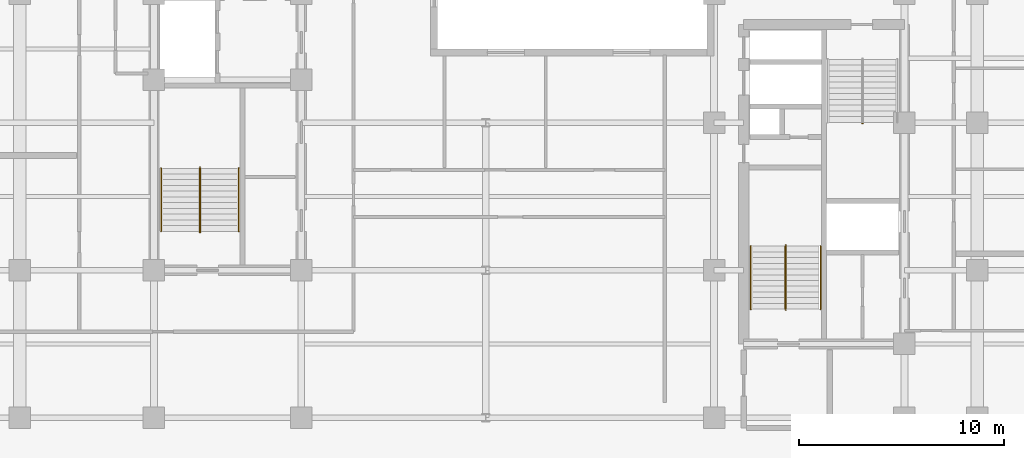
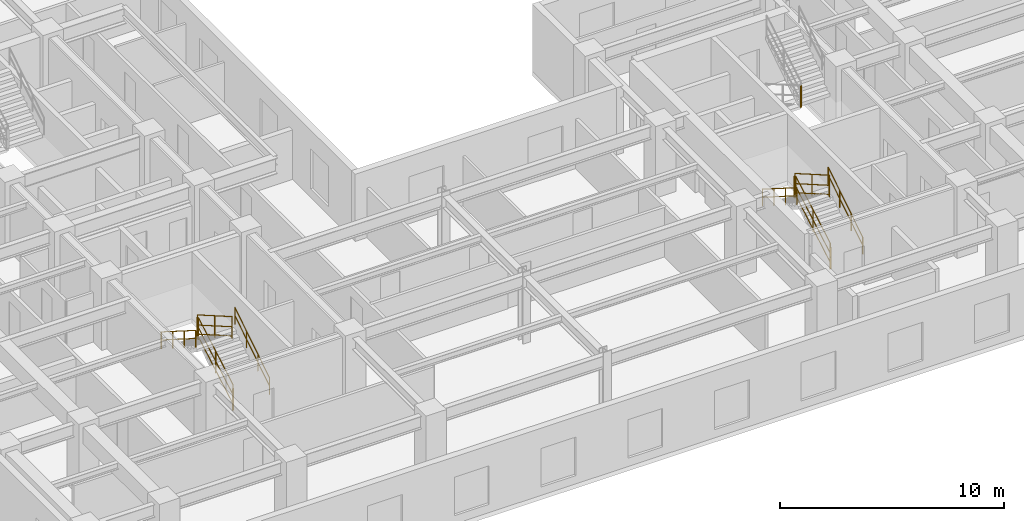
# One storey, part 8 of 10: 13 railings.
"""IFC4 building model written with IfcOpenShell, lengths in metres."""

from ifc_helpers import new_model, entity, si_unit, converted_unit, direction, frame, origin_with_axes, origin_2d_with_axis, place, context, subcontext, project, spatial, rectangle, circle, extrude, material, type_object, element, save


model = new_model("IFC4")

# Units and contexts
model_context = context("Model", 3, precision=1e-05, world=origin_with_axes(), true_north=direction((0.0, 1.0)))
body_context = subcontext(model_context, "Body", "Model", "MODEL_VIEW")
ifc_project = project(units=[si_unit("LENGTHUNIT", "METRE"), si_unit("AREAUNIT", "SQUARE_METRE"), si_unit("VOLUMEUNIT", "CUBIC_METRE"), converted_unit("PLANEANGLEUNIT", "DEGREE", entity("IfcPlaneAngleMeasure", 0.017453292519943295), si_unit("PLANEANGLEUNIT", "RADIAN"), dimensions=[0, 0, 0, 0, 0, 0, 0]), si_unit("MASSUNIT", "GRAM", prefix="KILO"), si_unit("THERMODYNAMICTEMPERATUREUNIT", "KELVIN")], contexts=[model_context])

# Site, building, storey
site_placement = place(None, origin_with_axes())
site = spatial("IfcSite", under=ifc_project, at=site_placement, CompositionType="ELEMENT")
building_placement = place(site_placement, origin_with_axes())
building = spatial("IfcBuilding", under=site, at=building_placement, Name="Varnlund Millrace Tower", CompositionType="ELEMENT")
storey_placement = place(building_placement, frame((0.0, 0.0, 175.8), z_axis=(0.0, 0.0, 1.0), x_axis=(1.0, 0.0, 0.0)))
storey = spatial("IfcBuildingStorey", under=building, at=storey_placement, Name="L43", CompositionType="ELEMENT", Elevation=175.8)

# Railings
ifc_material_1 = material(Name="Painted steel stair well balustrade guard", Category="steel")
railing_type_1 = type_object("IfcRailingType", Name="Type-StairGuard-1150", PredefinedType="GUARDRAIL", material=ifc_material_1)
railing_1_placement = place(storey_placement, frame((0.0, 0.0, -175.8), z_axis=(0.0, 0.0, 1.0), x_axis=(1.0, 0.0, 0.0)))
element("IfcRailing", 1, at=railing_1_placement, inside=storey, type_object=railing_type_1, Name="Type-StairGuard-1150", PredefinedType="GUARDRAIL", context=body_context, shape_type="SweptSolid", body=[
    extrude(circle(Radius=0.024, at=origin_2d_with_axis()), frame((13.675, 12.7, 177.127273), z_axis=(0.0, 0.866696, 0.498836), x_axis=(-1.0, 0.0, 0.0)), (0.0, 0.0, 1.0), 3.553725),
    extrude(circle(Radius=0.024, at=origin_2d_with_axis()), frame((13.675, 12.7, 176.077273), z_axis=(0.0, 0.866696, 0.498836), x_axis=(-1.0, 0.0, 0.0)), (0.0, 0.0, 1.0), 3.553725),
    extrude(circle(Radius=0.024, at=origin_2d_with_axis()), frame((13.675, 12.7, 176.575273), z_axis=(0.0, 0.866696, 0.498836), x_axis=(-1.0, 0.0, 0.0)), (0.0, 0.0, 1.0), 3.553725),
    extrude(rectangle(XDim=0.04, YDim=0.04, at=origin_2d_with_axis()), frame((13.675, 12.7, 175.937273), z_axis=(0.0, 0.0, 1.0), x_axis=(1.0, 0.0, 0.0)), (0.0, 0.0, 1.0), 1.19),
    extrude(rectangle(XDim=0.04, YDim=0.04, at=origin_2d_with_axis()), frame((13.675, 14.24, 176.823636), z_axis=(0.0, 0.0, 1.0), x_axis=(1.0, 0.0, 0.0)), (0.0, 0.0, 1.0), 1.19),
    extrude(rectangle(XDim=0.04, YDim=0.04, at=origin_2d_with_axis()), frame((13.675, 15.78, 177.71), z_axis=(0.0, 0.0, 1.0), x_axis=(1.0, 0.0, 0.0)), (0.0, 0.0, 1.0), 1.19),
])
railing_2_placement = place(storey_placement, frame((0.0, 0.0, -175.8), z_axis=(0.0, 0.0, 1.0), x_axis=(1.0, 0.0, 0.0)))
element("IfcRailing", 2, at=railing_2_placement, inside=storey, type_object=railing_type_1, Name="Type-StairGuard-1150", PredefinedType="GUARDRAIL", context=body_context, shape_type="SweptSolid", body=[
    extrude(circle(Radius=0.024, at=origin_2d_with_axis()), frame((13.625, 15.83, 178.9), z_axis=(1.0, 0.0, 0.0), x_axis=(0.0, 1.0, 0.0)), (0.0, 0.0, 1.0), 0.05),
    extrude(circle(Radius=0.024, at=origin_2d_with_axis()), frame((13.625, 15.83, 177.85), z_axis=(1.0, 0.0, 0.0), x_axis=(0.0, 1.0, 0.0)), (0.0, 0.0, 1.0), 0.05),
    extrude(circle(Radius=0.024, at=origin_2d_with_axis()), frame((13.625, 15.83, 178.348), z_axis=(1.0, 0.0, 0.0), x_axis=(0.0, 1.0, 0.0)), (0.0, 0.0, 1.0), 0.05),
    extrude(rectangle(XDim=0.04, YDim=0.04, at=origin_2d_with_axis()), frame((13.625, 15.83, 177.71), z_axis=(0.0, 0.0, 1.0), x_axis=(1.0, 0.0, 0.0)), (0.0, 0.0, 1.0), 1.19),
    extrude(rectangle(XDim=0.04, YDim=0.04, at=origin_2d_with_axis()), frame((13.675, 15.83, 177.71), z_axis=(0.0, 0.0, 1.0), x_axis=(1.0, 0.0, 0.0)), (0.0, 0.0, 1.0), 1.19),
])
railing_3_placement = place(storey_placement, frame((0.0, 0.0, -175.8), z_axis=(0.0, 0.0, 1.0), x_axis=(1.0, 0.0, 0.0)))
element("IfcRailing", 3, at=railing_3_placement, inside=storey, type_object=railing_type_1, Name="Type-StairGuard-1150", PredefinedType="GUARDRAIL", context=body_context, shape_type="SweptSolid", body=[
    extrude(circle(Radius=0.024, at=origin_2d_with_axis()), frame((13.625, 15.78, 179.077273), z_axis=(0.0, -0.866696, 0.498836), x_axis=(1.0, 0.0, 0.0)), (0.0, 0.0, 1.0), 3.553725),
    extrude(circle(Radius=0.024, at=origin_2d_with_axis()), frame((13.625, 15.78, 178.027273), z_axis=(0.0, -0.866696, 0.498836), x_axis=(1.0, 0.0, 0.0)), (0.0, 0.0, 1.0), 3.553725),
    extrude(circle(Radius=0.024, at=origin_2d_with_axis()), frame((13.625, 15.78, 178.525273), z_axis=(0.0, -0.866696, 0.498836), x_axis=(1.0, 0.0, 0.0)), (0.0, 0.0, 1.0), 3.553725),
    extrude(rectangle(XDim=0.04, YDim=0.04, at=origin_2d_with_axis()), frame((13.625, 15.78, 177.887273), z_axis=(0.0, 0.0, 1.0), x_axis=(1.0, 0.0, 0.0)), (0.0, 0.0, 1.0), 1.19),
    extrude(rectangle(XDim=0.04, YDim=0.04, at=origin_2d_with_axis()), frame((13.625, 14.24, 178.773637), z_axis=(0.0, 0.0, 1.0), x_axis=(1.0, 0.0, 0.0)), (0.0, 0.0, 1.0), 1.19),
    extrude(rectangle(XDim=0.04, YDim=0.04, at=origin_2d_with_axis()), frame((13.625, 12.7, 179.66), z_axis=(0.0, 0.0, 1.0), x_axis=(1.0, 0.0, 0.0)), (0.0, 0.0, 1.0), 1.19),
])
railing_4_placement = place(storey_placement, frame((0.0, 0.0, -175.8), z_axis=(0.0, 0.0, 1.0), x_axis=(1.0, 0.0, 0.0)))
element("IfcRailing", 4, at=railing_4_placement, inside=storey, type_object=railing_type_1, Name="Type-StairGuard-1150", PredefinedType="GUARDRAIL", context=body_context, shape_type="SweptSolid", body=[
    extrude(circle(Radius=0.024, at=origin_2d_with_axis()), frame((13.625, 12.65, 176.95), z_axis=(1.0, 0.0, 0.0), x_axis=(0.0, 1.0, 0.0)), (0.0, 0.0, 1.0), 0.05),
    extrude(circle(Radius=0.024, at=origin_2d_with_axis()), frame((13.625, 12.65, 175.9), z_axis=(1.0, 0.0, 0.0), x_axis=(0.0, 1.0, 0.0)), (0.0, 0.0, 1.0), 0.05),
    extrude(circle(Radius=0.024, at=origin_2d_with_axis()), frame((13.625, 12.65, 176.398), z_axis=(1.0, 0.0, 0.0), x_axis=(0.0, 1.0, 0.0)), (0.0, 0.0, 1.0), 0.05),
    extrude(rectangle(XDim=0.04, YDim=0.04, at=origin_2d_with_axis()), frame((13.625, 12.65, 175.76), z_axis=(0.0, 0.0, 1.0), x_axis=(1.0, 0.0, 0.0)), (0.0, 0.0, 1.0), 1.19),
    extrude(rectangle(XDim=0.04, YDim=0.04, at=origin_2d_with_axis()), frame((13.675, 12.65, 175.76), z_axis=(0.0, 0.0, 1.0), x_axis=(1.0, 0.0, 0.0)), (0.0, 0.0, 1.0), 1.19),
])
railing_5_placement = place(storey_placement, frame((0.0, 0.0, -175.8), z_axis=(0.0, 0.0, 1.0), x_axis=(1.0, 0.0, 0.0)))
element("IfcRailing", 5, at=railing_5_placement, inside=storey, type_object=railing_type_1, Name="Type-StairGuard-1150", PredefinedType="GUARDRAIL", context=body_context, shape_type="SweptSolid", body=[
    extrude(circle(Radius=0.024, at=origin_2d_with_axis()), frame((42.275, 8.9, 177.127273), z_axis=(0.0, 0.866696, 0.498836), x_axis=(-1.0, 0.0, 0.0)), (0.0, 0.0, 1.0), 3.553725),
    extrude(circle(Radius=0.024, at=origin_2d_with_axis()), frame((42.275, 8.9, 176.077273), z_axis=(0.0, 0.866696, 0.498836), x_axis=(-1.0, 0.0, 0.0)), (0.0, 0.0, 1.0), 3.553725),
    extrude(circle(Radius=0.024, at=origin_2d_with_axis()), frame((42.275, 8.9, 176.575273), z_axis=(0.0, 0.866696, 0.498836), x_axis=(-1.0, 0.0, 0.0)), (0.0, 0.0, 1.0), 3.553725),
    extrude(rectangle(XDim=0.04, YDim=0.04, at=origin_2d_with_axis()), frame((42.275, 8.9, 175.937273), z_axis=(0.0, 0.0, 1.0), x_axis=(1.0, 0.0, 0.0)), (0.0, 0.0, 1.0), 1.19),
    extrude(rectangle(XDim=0.04, YDim=0.04, at=origin_2d_with_axis()), frame((42.275, 10.44, 176.823636), z_axis=(0.0, 0.0, 1.0), x_axis=(1.0, 0.0, 0.0)), (0.0, 0.0, 1.0), 1.19),
    extrude(rectangle(XDim=0.04, YDim=0.04, at=origin_2d_with_axis()), frame((42.275, 11.98, 177.71), z_axis=(0.0, 0.0, 1.0), x_axis=(1.0, 0.0, 0.0)), (0.0, 0.0, 1.0), 1.19),
])
railing_6_placement = place(storey_placement, frame((0.0, 0.0, -175.8), z_axis=(0.0, 0.0, 1.0), x_axis=(1.0, 0.0, 0.0)))
element("IfcRailing", 6, at=railing_6_placement, inside=storey, type_object=railing_type_1, Name="Type-StairGuard-1150", PredefinedType="GUARDRAIL", context=body_context, shape_type="SweptSolid", body=[
    extrude(circle(Radius=0.024, at=origin_2d_with_axis()), frame((42.225, 12.03, 178.9), z_axis=(1.0, 0.0, 0.0), x_axis=(0.0, 1.0, 0.0)), (0.0, 0.0, 1.0), 0.05),
    extrude(circle(Radius=0.024, at=origin_2d_with_axis()), frame((42.225, 12.03, 177.85), z_axis=(1.0, 0.0, 0.0), x_axis=(0.0, 1.0, 0.0)), (0.0, 0.0, 1.0), 0.05),
    extrude(circle(Radius=0.024, at=origin_2d_with_axis()), frame((42.225, 12.03, 178.348), z_axis=(1.0, 0.0, 0.0), x_axis=(0.0, 1.0, 0.0)), (0.0, 0.0, 1.0), 0.05),
    extrude(rectangle(XDim=0.04, YDim=0.04, at=origin_2d_with_axis()), frame((42.225, 12.03, 177.71), z_axis=(0.0, 0.0, 1.0), x_axis=(1.0, 0.0, 0.0)), (0.0, 0.0, 1.0), 1.19),
    extrude(rectangle(XDim=0.04, YDim=0.04, at=origin_2d_with_axis()), frame((42.275, 12.03, 177.71), z_axis=(0.0, 0.0, 1.0), x_axis=(1.0, 0.0, 0.0)), (0.0, 0.0, 1.0), 1.19),
])
railing_7_placement = place(storey_placement, frame((0.0, 0.0, -175.8), z_axis=(0.0, 0.0, 1.0), x_axis=(1.0, 0.0, 0.0)))
element("IfcRailing", 7, at=railing_7_placement, inside=storey, type_object=railing_type_1, Name="Type-StairGuard-1150", PredefinedType="GUARDRAIL", context=body_context, shape_type="SweptSolid", body=[
    extrude(circle(Radius=0.024, at=origin_2d_with_axis()), frame((42.225, 11.98, 179.077273), z_axis=(0.0, -0.866696, 0.498836), x_axis=(1.0, 0.0, 0.0)), (0.0, 0.0, 1.0), 3.553725),
    extrude(circle(Radius=0.024, at=origin_2d_with_axis()), frame((42.225, 11.98, 178.027273), z_axis=(0.0, -0.866696, 0.498836), x_axis=(1.0, 0.0, 0.0)), (0.0, 0.0, 1.0), 3.553725),
    extrude(circle(Radius=0.024, at=origin_2d_with_axis()), frame((42.225, 11.98, 178.525273), z_axis=(0.0, -0.866696, 0.498836), x_axis=(1.0, 0.0, 0.0)), (0.0, 0.0, 1.0), 3.553725),
    extrude(rectangle(XDim=0.04, YDim=0.04, at=origin_2d_with_axis()), frame((42.225, 11.98, 177.887273), z_axis=(0.0, 0.0, 1.0), x_axis=(1.0, 0.0, 0.0)), (0.0, 0.0, 1.0), 1.19),
    extrude(rectangle(XDim=0.04, YDim=0.04, at=origin_2d_with_axis()), frame((42.225, 10.44, 178.773637), z_axis=(0.0, 0.0, 1.0), x_axis=(1.0, 0.0, 0.0)), (0.0, 0.0, 1.0), 1.19),
    extrude(rectangle(XDim=0.04, YDim=0.04, at=origin_2d_with_axis()), frame((42.225, 8.9, 179.66), z_axis=(0.0, 0.0, 1.0), x_axis=(1.0, 0.0, 0.0)), (0.0, 0.0, 1.0), 1.19),
])
railing_8_placement = place(storey_placement, frame((0.0, 0.0, -175.8), z_axis=(0.0, 0.0, 1.0), x_axis=(1.0, 0.0, 0.0)))
element("IfcRailing", 8, at=railing_8_placement, inside=storey, type_object=railing_type_1, Name="Type-StairGuard-1150", PredefinedType="GUARDRAIL", context=body_context, shape_type="SweptSolid", body=[
    extrude(circle(Radius=0.024, at=origin_2d_with_axis()), frame((42.225, 8.85, 176.95), z_axis=(1.0, 0.0, 0.0), x_axis=(0.0, 1.0, 0.0)), (0.0, 0.0, 1.0), 0.05),
    extrude(circle(Radius=0.024, at=origin_2d_with_axis()), frame((42.225, 8.85, 175.9), z_axis=(1.0, 0.0, 0.0), x_axis=(0.0, 1.0, 0.0)), (0.0, 0.0, 1.0), 0.05),
    extrude(circle(Radius=0.024, at=origin_2d_with_axis()), frame((42.225, 8.85, 176.398), z_axis=(1.0, 0.0, 0.0), x_axis=(0.0, 1.0, 0.0)), (0.0, 0.0, 1.0), 0.05),
    extrude(rectangle(XDim=0.04, YDim=0.04, at=origin_2d_with_axis()), frame((42.225, 8.85, 175.76), z_axis=(0.0, 0.0, 1.0), x_axis=(1.0, 0.0, 0.0)), (0.0, 0.0, 1.0), 1.19),
    extrude(rectangle(XDim=0.04, YDim=0.04, at=origin_2d_with_axis()), frame((42.275, 8.85, 175.76), z_axis=(0.0, 0.0, 1.0), x_axis=(1.0, 0.0, 0.0)), (0.0, 0.0, 1.0), 1.19),
])
railing_9_placement = place(storey_placement, frame((0.0, 0.0, -175.8), z_axis=(0.0, 0.0, 1.0), x_axis=(1.0, 0.0, 0.0)))
element("IfcRailing", 9, at=railing_9_placement, inside=storey, type_object=railing_type_1, Name="Type-StairGuard-1150", PredefinedType="GUARDRAIL", context=body_context, shape_type="SweptSolid", body=[
    extrude(circle(Radius=0.024, at=origin_2d_with_axis()), frame((46.025, 17.97, 178.9), z_axis=(-1.0, 0.0, 0.0), x_axis=(0.0, -1.0, 0.0)), (0.0, 0.0, 1.0), 0.05),
    extrude(circle(Radius=0.024, at=origin_2d_with_axis()), frame((46.025, 17.97, 177.85), z_axis=(-1.0, 0.0, 0.0), x_axis=(0.0, -1.0, 0.0)), (0.0, 0.0, 1.0), 0.05),
    extrude(circle(Radius=0.024, at=origin_2d_with_axis()), frame((46.025, 17.97, 178.348), z_axis=(-1.0, 0.0, 0.0), x_axis=(0.0, -1.0, 0.0)), (0.0, 0.0, 1.0), 0.05),
    extrude(rectangle(XDim=0.04, YDim=0.04, at=origin_2d_with_axis()), frame((46.025, 17.97, 177.71), z_axis=(0.0, 0.0, 1.0), x_axis=(1.0, 0.0, 0.0)), (0.0, 0.0, 1.0), 1.19),
    extrude(rectangle(XDim=0.04, YDim=0.04, at=origin_2d_with_axis()), frame((45.975, 17.97, 177.71), z_axis=(0.0, 0.0, 1.0), x_axis=(1.0, 0.0, 0.0)), (0.0, 0.0, 1.0), 1.19),
])
ifc_material_2 = material(Name="Brushed architectural bronze stair handrail", Category="aluminium")
railing_type_2 = type_object("IfcRailingType", Name="Type-StairHandrail-900", PredefinedType="HANDRAIL", material=ifc_material_2)
railing_10_placement = place(storey_placement, frame((0.0, 0.0, -175.8), z_axis=(0.0, 0.0, 1.0), x_axis=(1.0, 0.0, 0.0)))
element("IfcRailing", 10, at=railing_10_placement, inside=storey, type_object=railing_type_2, Name="Type-StairHandrail-900", PredefinedType="HANDRAIL", context=body_context, shape_type="SweptSolid", body=[
    extrude(circle(Radius=0.024, at=origin_2d_with_axis()), frame((15.55, 12.7, 176.856995), z_axis=(0.0, 0.844902, 0.534922), x_axis=(-1.0, 0.0, 0.0)), (0.0, 0.0, 1.0), 3.645394),
    extrude(circle(Radius=0.024, at=origin_2d_with_axis()), frame((15.55, 12.7, 176.417134), z_axis=(0.0, 0.844902, 0.534922), x_axis=(-1.0, 0.0, 0.0)), (0.0, 0.0, 1.0), 3.645394),
    extrude(rectangle(XDim=0.04, YDim=0.04, at=origin_2d_with_axis()), frame((15.55, 12.7, 175.937273), z_axis=(0.0, 0.0, 1.0), x_axis=(1.0, 0.0, 0.0)), (0.0, 0.0, 1.0), 0.919722),
    extrude(rectangle(XDim=0.04, YDim=0.04, at=origin_2d_with_axis()), frame((15.55, 13.726667, 176.587273), z_axis=(0.0, 0.0, 1.0), x_axis=(1.0, 0.0, 0.0)), (0.0, 0.0, 1.0), 0.919722),
    extrude(rectangle(XDim=0.04, YDim=0.04, at=origin_2d_with_axis()), frame((15.55, 14.753333, 177.237273), z_axis=(0.0, 0.0, 1.0), x_axis=(1.0, 0.0, 0.0)), (0.0, 0.0, 1.0), 0.919722),
    extrude(rectangle(XDim=0.04, YDim=0.04, at=origin_2d_with_axis()), frame((15.55, 15.78, 177.887273), z_axis=(0.0, 0.0, 1.0), x_axis=(1.0, 0.0, 0.0)), (0.0, 0.0, 1.0), 0.919722),
])
railing_11_placement = place(storey_placement, frame((0.0, 0.0, -175.8), z_axis=(0.0, 0.0, 1.0), x_axis=(1.0, 0.0, 0.0)))
element("IfcRailing", 11, at=railing_11_placement, inside=storey, type_object=railing_type_2, Name="Type-StairHandrail-900", PredefinedType="HANDRAIL", context=body_context, shape_type="SweptSolid", body=[
    extrude(circle(Radius=0.024, at=origin_2d_with_axis()), frame((11.75, 15.78, 178.806995), z_axis=(0.0, -0.844902, 0.534922), x_axis=(1.0, 0.0, 0.0)), (0.0, 0.0, 1.0), 3.645394),
    extrude(circle(Radius=0.024, at=origin_2d_with_axis()), frame((11.75, 15.78, 178.367134), z_axis=(0.0, -0.844902, 0.534922), x_axis=(1.0, 0.0, 0.0)), (0.0, 0.0, 1.0), 3.645394),
    extrude(rectangle(XDim=0.04, YDim=0.04, at=origin_2d_with_axis()), frame((11.75, 15.78, 177.887273), z_axis=(0.0, 0.0, 1.0), x_axis=(1.0, 0.0, 0.0)), (0.0, 0.0, 1.0), 0.919722),
    extrude(rectangle(XDim=0.04, YDim=0.04, at=origin_2d_with_axis()), frame((11.75, 14.753333, 178.537273), z_axis=(0.0, 0.0, 1.0), x_axis=(1.0, 0.0, 0.0)), (0.0, 0.0, 1.0), 0.919722),
    extrude(rectangle(XDim=0.04, YDim=0.04, at=origin_2d_with_axis()), frame((11.75, 13.726667, 179.187273), z_axis=(0.0, 0.0, 1.0), x_axis=(1.0, 0.0, 0.0)), (0.0, 0.0, 1.0), 0.919722),
    extrude(rectangle(XDim=0.04, YDim=0.04, at=origin_2d_with_axis()), frame((11.75, 12.7, 179.837273), z_axis=(0.0, 0.0, 1.0), x_axis=(1.0, 0.0, 0.0)), (0.0, 0.0, 1.0), 0.919722),
])
railing_12_placement = place(storey_placement, frame((0.0, 0.0, -175.8), z_axis=(0.0, 0.0, 1.0), x_axis=(1.0, 0.0, 0.0)))
element("IfcRailing", 12, at=railing_12_placement, inside=storey, type_object=railing_type_2, Name="Type-StairHandrail-900", PredefinedType="HANDRAIL", context=body_context, shape_type="SweptSolid", body=[
    extrude(circle(Radius=0.024, at=origin_2d_with_axis()), frame((43.95, 8.9, 176.856995), z_axis=(0.0, 0.844902, 0.534922), x_axis=(-1.0, 0.0, 0.0)), (0.0, 0.0, 1.0), 3.645394),
    extrude(circle(Radius=0.024, at=origin_2d_with_axis()), frame((43.95, 8.9, 176.417134), z_axis=(0.0, 0.844902, 0.534922), x_axis=(-1.0, 0.0, 0.0)), (0.0, 0.0, 1.0), 3.645394),
    extrude(rectangle(XDim=0.04, YDim=0.04, at=origin_2d_with_axis()), frame((43.95, 8.9, 175.937273), z_axis=(0.0, 0.0, 1.0), x_axis=(1.0, 0.0, 0.0)), (0.0, 0.0, 1.0), 0.919722),
    extrude(rectangle(XDim=0.04, YDim=0.04, at=origin_2d_with_axis()), frame((43.95, 9.926667, 176.587273), z_axis=(0.0, 0.0, 1.0), x_axis=(1.0, 0.0, 0.0)), (0.0, 0.0, 1.0), 0.919722),
    extrude(rectangle(XDim=0.04, YDim=0.04, at=origin_2d_with_axis()), frame((43.95, 10.953333, 177.237273), z_axis=(0.0, 0.0, 1.0), x_axis=(1.0, 0.0, 0.0)), (0.0, 0.0, 1.0), 0.919722),
    extrude(rectangle(XDim=0.04, YDim=0.04, at=origin_2d_with_axis()), frame((43.95, 11.98, 177.887273), z_axis=(0.0, 0.0, 1.0), x_axis=(1.0, 0.0, 0.0)), (0.0, 0.0, 1.0), 0.919722),
])
railing_13_placement = place(storey_placement, frame((0.0, 0.0, -175.8), z_axis=(0.0, 0.0, 1.0), x_axis=(1.0, 0.0, 0.0)))
element("IfcRailing", 13, at=railing_13_placement, inside=storey, type_object=railing_type_2, Name="Type-StairHandrail-900", PredefinedType="HANDRAIL", context=body_context, shape_type="SweptSolid", body=[
    extrude(circle(Radius=0.024, at=origin_2d_with_axis()), frame((40.55, 11.98, 178.806995), z_axis=(0.0, -0.844902, 0.534922), x_axis=(1.0, 0.0, 0.0)), (0.0, 0.0, 1.0), 3.645394),
    extrude(circle(Radius=0.024, at=origin_2d_with_axis()), frame((40.55, 11.98, 178.367134), z_axis=(0.0, -0.844902, 0.534922), x_axis=(1.0, 0.0, 0.0)), (0.0, 0.0, 1.0), 3.645394),
    extrude(rectangle(XDim=0.04, YDim=0.04, at=origin_2d_with_axis()), frame((40.55, 11.98, 177.887273), z_axis=(0.0, 0.0, 1.0), x_axis=(1.0, 0.0, 0.0)), (0.0, 0.0, 1.0), 0.919722),
    extrude(rectangle(XDim=0.04, YDim=0.04, at=origin_2d_with_axis()), frame((40.55, 10.953333, 178.537273), z_axis=(0.0, 0.0, 1.0), x_axis=(1.0, 0.0, 0.0)), (0.0, 0.0, 1.0), 0.919722),
    extrude(rectangle(XDim=0.04, YDim=0.04, at=origin_2d_with_axis()), frame((40.55, 9.926667, 179.187273), z_axis=(0.0, 0.0, 1.0), x_axis=(1.0, 0.0, 0.0)), (0.0, 0.0, 1.0), 0.919722),
    extrude(rectangle(XDim=0.04, YDim=0.04, at=origin_2d_with_axis()), frame((40.55, 8.9, 179.837273), z_axis=(0.0, 0.0, 1.0), x_axis=(1.0, 0.0, 0.0)), (0.0, 0.0, 1.0), 0.919722),
])

save(model, "model.ifc")
